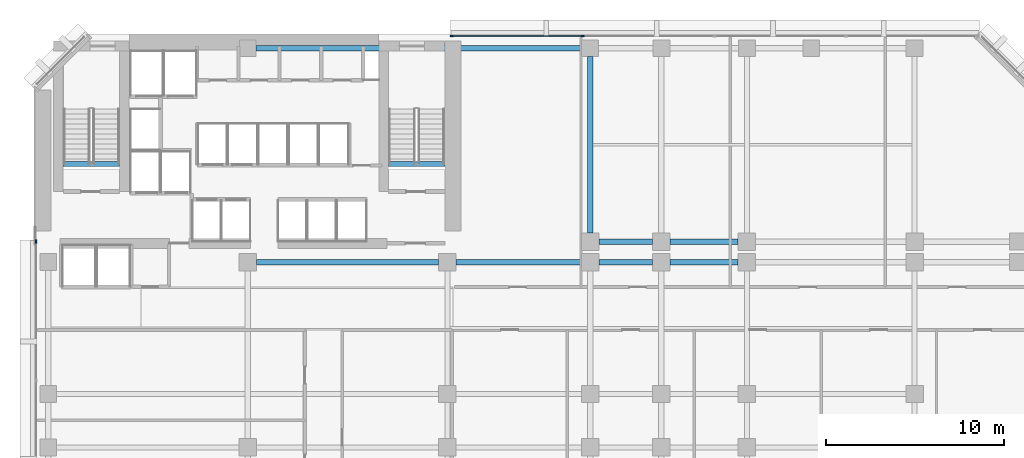
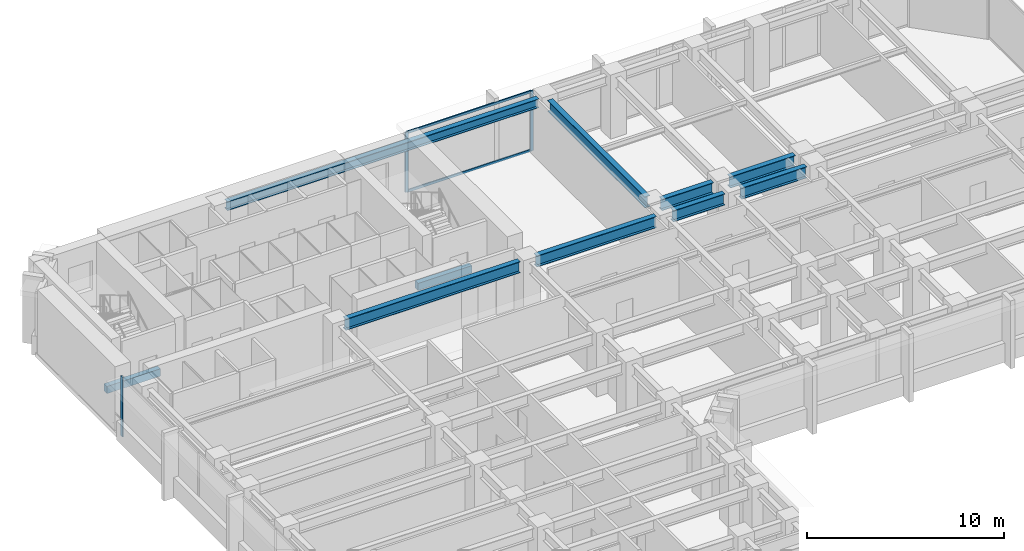
# One storey, part 4 of 14: 10 beams, 5 members, 2 elements without a shape of their own.
"""IFC4 building model written with IfcOpenShell, lengths in metres."""

from ifc_helpers import new_model, si_unit, direction, frame, origin, origin_2d, place, context, subcontext, project, spatial, rectangle, i_section, extrude, material, layer, layer_set, material_profile, profile_set, type_object, element, aggregate, save


model = new_model("IFC4")

# Units and contexts
model_context = context("Model", 3, precision=1e-05, world=origin(), true_north=direction((0.0, 1.0)))
body_context = subcontext(model_context, "Body", "Model", "MODEL_VIEW")
ifc_project = project(units=[si_unit("LENGTHUNIT", "METRE"), si_unit("AREAUNIT", "SQUARE_METRE"), si_unit("VOLUMEUNIT", "CUBIC_METRE"), si_unit("PLANEANGLEUNIT", "RADIAN"), si_unit("MASSUNIT", "GRAM", prefix="KILO")], contexts=[model_context])

# Site, building, storey
site_placement = place(None, origin())
site = spatial("IfcSite", under=ifc_project, at=site_placement, CompositionType="ELEMENT")
building_placement = place(site_placement, origin())
building = spatial("IfcBuilding", under=site, at=building_placement, Name="Kefirva Bronze Tower", CompositionType="ELEMENT")
storey_placement = place(building_placement, frame((0.0, 0.0, 66.0)))
storey = spatial("IfcBuildingStorey", under=building, at=storey_placement, Name="L15", CompositionType="ELEMENT", Elevation=66.0)

# Curtain wall, members
ifc_material_1 = material(Name="Bronze anodised aluminium", Category="aluminium")
ifc_layer = layer(ifc_material_1, 0.199951171875, Name="Bronze anodised aluminium")
ifc_layer_set = layer_set([ifc_layer], Name="Bronze anodised aluminium")
curtain_wall_type = type_object("IfcCurtainWallType", Name="Unitised Bronze Ribbon Curtain Wall Zone 1", PredefinedType="USERDEFINED", material=ifc_layer_set)
curtain_wall_1_placement = place(storey_placement, origin())
curtain_wall_1 = element("IfcCurtainWall", 1, at=curtain_wall_1_placement, inside=storey, type_object=curtain_wall_type, Name="L15 Curtain Wall 3", ObjectType="UNITISED CURTAIN WALL", PredefinedType="USERDEFINED")
ifc_material_profile_1 = material_profile(ifc_material_1, rectangle(XDim=0.074951171875, YDim=0.179931640625, at=origin_2d()), Name="ALU 75x180")
ifc_profile_set_1 = profile_set([ifc_material_profile_1], Name="Bronze anodised aluminium")
member_type_1 = type_object("IfcMemberType", Name="Bronze Mullion 75x180", PredefinedType="MULLION", material=ifc_profile_set_1)
member_1_placement = place(storey_placement, frame((30.7900390625, 45.8798828125, 0.0), z_axis=(0.0, 0.0, 1.0), x_axis=(0.0, -1.0, 0.0)))
member_1 = element("IfcMember", 2, at=member_1_placement, type_object=member_type_1, Name="CW-01 mullion 4", PredefinedType="MULLION", context=body_context, shape_type="SweptSolid", body=[
    extrude(rectangle(XDim=0.074951171875, YDim=0.179931640625, at=origin_2d()), origin(), (0.0, 0.0, 1.0), 3.7099609375),
])
member_2_placement = place(storey_placement, frame((23.4423828125, 45.8798828125, 0.0), z_axis=(0.0, 0.0, 1.0), x_axis=(0.0, -1.0, 0.0)))
member_2 = element("IfcMember", 3, at=member_2_placement, type_object=member_type_1, Name="CW-01 mullion 5", PredefinedType="MULLION", context=body_context, shape_type="SweptSolid", body=[
    extrude(rectangle(XDim=0.074951171875, YDim=0.179931640625, at=origin_2d()), origin(), (0.0, 0.0, 1.0), 3.7099609375),
])

# Curtain wall, member
curtain_wall_2_placement = place(storey_placement, origin())
curtain_wall_2 = element("IfcCurtainWall", 4, at=curtain_wall_2_placement, inside=storey, type_object=curtain_wall_type, Name="L15 Curtain Wall 4", ObjectType="UNITISED CURTAIN WALL", PredefinedType="USERDEFINED")
member_3_placement = place(storey_placement, frame((0.1201171875, 34.357421875, 0.0), z_axis=(0.0, 0.0, 1.0), x_axis=(1.0, 0.0, 0.0)))
member_3 = element("IfcMember", 5, at=member_3_placement, type_object=member_type_1, Name="CW-01 mullion 1", PredefinedType="MULLION", context=body_context, shape_type="SweptSolid", body=[
    extrude(rectangle(XDim=0.074951171875, YDim=0.179931640625, at=origin_2d()), origin(), (0.0, 0.0, 1.0), 3.7099609375),
])
aggregate(curtain_wall_2, [member_3])

# Member
ifc_material_profile_2 = material_profile(ifc_material_1, rectangle(XDim=0.074951171875, YDim=0.14990234375, at=origin_2d()), Name="ALU 75x150")
ifc_profile_set_2 = profile_set([ifc_material_profile_2], Name="Bronze anodised aluminium")
member_type_2 = type_object("IfcMemberType", Name="Bronze Transom 75x150", PredefinedType="USERDEFINED", material=ifc_profile_set_2)
member_4_placement = place(storey_placement, frame((30.75244140625, 45.8798828125, 0.03759765625), z_axis=(-1.0, 0.0, 0.0), x_axis=(0.0, -1.0, 0.0)))
member_4 = element("IfcMember", 6, at=member_4_placement, type_object=member_type_2, Name="CW-01 transom 4.1", ObjectType="TRANSOM", PredefinedType="USERDEFINED", context=body_context, shape_type="SweptSolid", body=[
    extrude(rectangle(XDim=0.074951171875, YDim=0.14990234375, at=origin_2d()), origin(), (0.0, 0.0, 1.0), 7.2724609375),
])

member_5_placement = place(storey_placement, frame((30.75244140625, 45.8798828125, 3.672607421875), z_axis=(-1.0, 0.0, 0.0), x_axis=(0.0, -1.0, 0.0)))
member_5 = element("IfcMember", 7, at=member_5_placement, type_object=member_type_2, Name="CW-01 transom 4.2", ObjectType="TRANSOM", PredefinedType="USERDEFINED", context=body_context, shape_type="SweptSolid", body=[
    extrude(rectangle(XDim=0.074951171875, YDim=0.14990234375, at=origin_2d()), origin(), (0.0, 0.0, 1.0), 7.2724609375),
])

aggregate(curtain_wall_1, [member_1, member_2, member_4, member_5])

# Beams
ifc_material_2 = material(Name="Concrete C50/60", Category="concrete")
ifc_material_profile_3 = material_profile(ifc_material_2, rectangle(XDim=0.300048828125, YDim=0.449951171875, at=origin_2d()), Name="RC 300x450")
ifc_profile_set_3 = profile_set([ifc_material_profile_3], Name="Concrete C50/60")
beam_type_1 = type_object("IfcBeamType", Name="RC Stair Trimmer Beam 300x450", PredefinedType="BEAM", material=ifc_profile_set_3)
beam_1_placement = place(storey_placement, frame((1.64501953125, 38.699951171875, -0.22509765625), z_axis=(1.0, 0.0, 0.0), x_axis=(0.0, 1.0, 0.0)))
element("IfcBeam", 8, at=beam_1_placement, inside=storey, type_object=beam_type_1, Name="L15 Stair 1 Landing Trimmer Beam", PredefinedType="BEAM", context=body_context, shape_type="SweptSolid", body=[
    extrude(rectangle(XDim=0.300048828125, YDim=0.449951171875, at=origin_2d()), origin(), (0.0, 0.0, 1.0), 3.14990234375),
])
beam_2_placement = place(storey_placement, frame((19.89501953125, 38.699951171875, -0.22509765625), z_axis=(1.0, 0.0, 0.0), x_axis=(0.0, 1.0, 0.0)))
element("IfcBeam", 9, at=beam_2_placement, inside=storey, type_object=beam_type_1, Name="L15 Stair 2 Landing Trimmer Beam", PredefinedType="BEAM", context=body_context, shape_type="SweptSolid", body=[
    extrude(rectangle(XDim=0.300048828125, YDim=0.449951171875, at=origin_2d()), origin(), (0.0, 0.0, 1.0), 3.159912109375),
])
ifc_material_3 = material(Name="Steel S355", Category="steel")
ifc_material_profile_4 = material_profile(ifc_material_3, i_section(OverallWidth=0.300048828125, OverallDepth=0.699951171875, WebThickness=0.01708984375, FlangeThickness=0.031982421875, at=origin_2d()), Name="HEB 700")
ifc_profile_set_4 = profile_set([ifc_material_profile_4], Name="Steel S355")
beam_type_2 = type_object("IfcBeamType", Name="Steel Girder HEB 700", PredefinedType="USERDEFINED", material=ifc_profile_set_4)
beam_3_placement = place(storey_placement, frame((12.489990234375, 33.199951171875, 3.360107421875), z_axis=(1.0, 0.0, 0.0), x_axis=(0.0, 1.0, 0.0)))
element("IfcBeam", 10, at=beam_3_placement, inside=storey, type_object=beam_type_2, Name="L15 BM-L15-EW-12-332", ObjectType="GIRDER", PredefinedType="USERDEFINED", context=body_context, shape_type="SweptSolid", body=[
    extrude(i_section(OverallWidth=0.300048828125, OverallDepth=0.699951171875, WebThickness=0.01708984375, FlangeThickness=0.031982421875, at=origin_2d()), origin(), (0.0, 0.0, 1.0), 10.219970703125),
])
beam_4_placement = place(storey_placement, frame((23.68994140625, 33.199951171875, 3.360107421875), z_axis=(1.0, 0.0, 0.0), x_axis=(0.0, 1.0, 0.0)))
element("IfcBeam", 11, at=beam_4_placement, inside=storey, type_object=beam_type_2, Name="L15 BM-L15-EW-23-332", ObjectType="GIRDER", PredefinedType="USERDEFINED", context=body_context, shape_type="SweptSolid", body=[
    extrude(i_section(OverallWidth=0.300048828125, OverallDepth=0.699951171875, WebThickness=0.01708984375, FlangeThickness=0.031982421875, at=origin_2d()), origin(), (0.0, 0.0, 1.0), 7.02001953125),
])
beam_5_placement = place(storey_placement, frame((31.68994140625, 33.199951171875, 3.360107421875), z_axis=(1.0, 0.0, 0.0), x_axis=(0.0, 1.0, 0.0)))
element("IfcBeam", 12, at=beam_5_placement, inside=storey, type_object=beam_type_2, Name="L15 BM-L15-EW-31-332", ObjectType="GIRDER", PredefinedType="USERDEFINED", context=body_context, shape_type="SweptSolid", body=[
    extrude(i_section(OverallWidth=0.300048828125, OverallDepth=0.699951171875, WebThickness=0.01708984375, FlangeThickness=0.031982421875, at=origin_2d()), origin(), (0.0, 0.0, 1.0), 3.02001953125),
])
beam_6_placement = place(storey_placement, frame((35.68994140625, 33.199951171875, 3.360107421875), z_axis=(1.0, 0.0, 0.0), x_axis=(0.0, 1.0, 0.0)))
element("IfcBeam", 13, at=beam_6_placement, inside=storey, type_object=beam_type_2, Name="L15 BM-L15-EW-35-332", ObjectType="GIRDER", PredefinedType="USERDEFINED", context=body_context, shape_type="SweptSolid", body=[
    extrude(i_section(OverallWidth=0.300048828125, OverallDepth=0.699951171875, WebThickness=0.01708984375, FlangeThickness=0.031982421875, at=origin_2d()), origin(), (0.0, 0.0, 1.0), 3.820068359375),
])
beam_7_placement = place(storey_placement, frame((31.68994140625, 34.35009765625, 3.360107421875), z_axis=(1.0, 0.0, 0.0), x_axis=(0.0, 1.0, 0.0)))
element("IfcBeam", 14, at=beam_7_placement, inside=storey, type_object=beam_type_2, Name="L15 BM-L15-EW-31-344", ObjectType="GIRDER", PredefinedType="USERDEFINED", context=body_context, shape_type="SweptSolid", body=[
    extrude(i_section(OverallWidth=0.300048828125, OverallDepth=0.699951171875, WebThickness=0.01708984375, FlangeThickness=0.031982421875, at=origin_2d()), origin(), (0.0, 0.0, 1.0), 3.02001953125),
])
beam_8_placement = place(storey_placement, frame((35.68994140625, 34.35009765625, 3.360107421875), z_axis=(1.0, 0.0, 0.0), x_axis=(0.0, 1.0, 0.0)))
element("IfcBeam", 15, at=beam_8_placement, inside=storey, type_object=beam_type_2, Name="L15 BM-L15-EW-35-344", ObjectType="GIRDER", PredefinedType="USERDEFINED", context=body_context, shape_type="SweptSolid", body=[
    extrude(i_section(OverallWidth=0.300048828125, OverallDepth=0.699951171875, WebThickness=0.01708984375, FlangeThickness=0.031982421875, at=origin_2d()), origin(), (0.0, 0.0, 1.0), 3.820068359375),
])
beam_9_placement = place(storey_placement, frame((31.199951171875, 34.840087890625, 3.360107421875), z_axis=(0.0, 1.0, 0.0), x_axis=(-1.0, 0.0, 0.0)))
element("IfcBeam", 16, at=beam_9_placement, inside=storey, type_object=beam_type_2, Name="L15 BM-L15-NS-312-34", ObjectType="GIRDER", PredefinedType="USERDEFINED", context=body_context, shape_type="SweptSolid", body=[
    extrude(i_section(OverallWidth=0.300048828125, OverallDepth=0.699951171875, WebThickness=0.01708984375, FlangeThickness=0.031982421875, at=origin_2d()), origin(), (0.0, 0.0, 1.0), 9.889892578125),
])
ifc_material_profile_5 = material_profile(ifc_material_3, i_section(OverallWidth=0.300048828125, OverallDepth=0.550048828125, WebThickness=0.014892578125, FlangeThickness=0.029052734375, at=origin_2d()), Name="HEB 550")
ifc_profile_set_5 = profile_set([ifc_material_profile_5], Name="Steel S355")
beam_type_3 = type_object("IfcBeamType", Name="Steel Spandrel HEB 550 Ext", PredefinedType="SPANDREL", material=ifc_profile_set_5)
beam_10_placement = place(storey_placement, frame((12.469970703125, 45.199951171875, 3.43505859375), z_axis=(1.0, 0.0, 0.0), x_axis=(0.0, 1.0, 0.0)))
element("IfcBeam", 17, at=beam_10_placement, inside=storey, type_object=beam_type_3, Name="L15 BM-L15-EW-12-452", PredefinedType="SPANDREL", context=body_context, shape_type="SweptSolid", body=[
    extrude(i_section(OverallWidth=0.300048828125, OverallDepth=0.550048828125, WebThickness=0.014892578125, FlangeThickness=0.029052734375, at=origin_2d()), origin(), (0.0, 0.0, 1.0), 18.260009765625),
])

save(model, "model.ifc")
